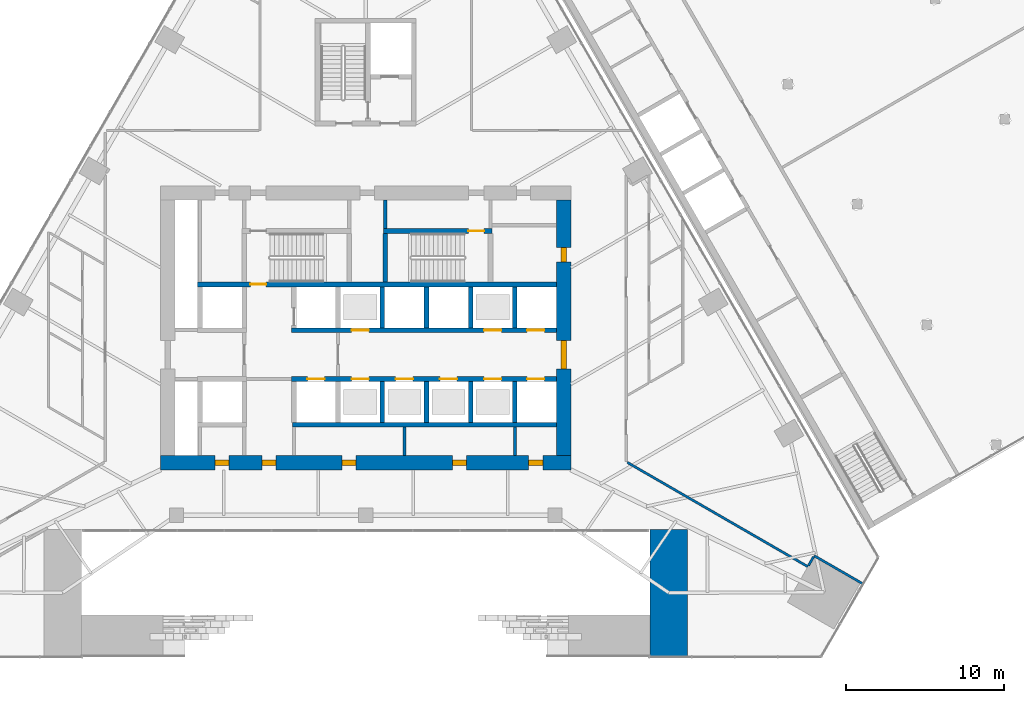
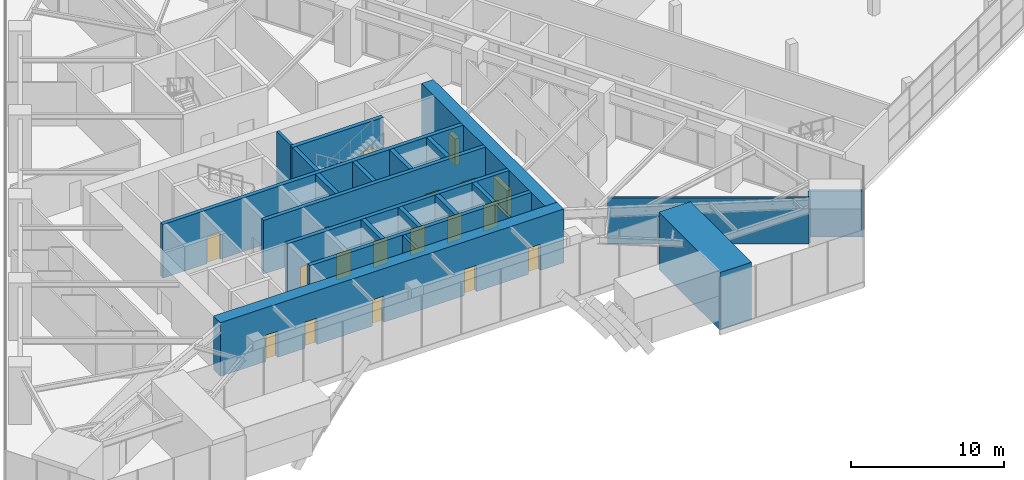
# One storey, part 18 of 29: 23 walls, 18 doors, 18 openings.
"""IFC4 building model written with IfcOpenShell, lengths in metres."""

from ifc_helpers import new_model, si_unit, direction, frame, frame_2d, origin, place, context, subcontext, project, spatial, rectangle, extrude, material, layer, layer_set, type_object, element, fill, save


model = new_model("IFC4")

# Units and contexts
model_context = context("Model", 3, precision=1e-05, world=origin(), true_north=direction((0.0, 1.0)))
body_context = subcontext(model_context, "Body", "Model", "MODEL_VIEW")
ifc_project = project(units=[si_unit("LENGTHUNIT", "METRE"), si_unit("AREAUNIT", "SQUARE_METRE"), si_unit("VOLUMEUNIT", "CUBIC_METRE"), si_unit("PLANEANGLEUNIT", "RADIAN"), si_unit("MASSUNIT", "GRAM", prefix="KILO")], contexts=[model_context])

# Site, building, storey
site_placement = place(None, origin())
site = spatial("IfcSite", under=ifc_project, at=site_placement, CompositionType="ELEMENT")
building_placement = place(site_placement, origin())
building = spatial("IfcBuilding", under=site, at=building_placement, Name="Firuza Gate Tower and Library", CompositionType="ELEMENT")
storey_placement = place(building_placement, frame((0.0, 0.0, 17.199951171875)))
storey = spatial("IfcBuildingStorey", under=building, at=storey_placement, Name="L03", CompositionType="ELEMENT", Elevation=17.199951171875)

# Walls
ifc_material_1 = material(Name="Plasterboard on steel studs", Category="steel")
ifc_layer_1 = layer(ifc_material_1, 0.199951171875)
ifc_layer_set_1 = layer_set([ifc_layer_1], Name="Core partition 200 EI 120")
wall_type_1 = type_object("IfcWallType", Name="Core partition 200 EI 120", PredefinedType="PARTITIONING", material=ifc_layer_set_1)
for number, where, z_axis, x_axis, name in (
    (1, (77.449951171875, 66.89990234375, 0.0), (0.0, 0.0, 1.0), (0.0, 1.0, 0.0), "Core partition L03 14"),
    (2, (84.449951171875, 66.89990234375, 0.0), (0.0, 0.0, 1.0), (0.0, 1.0, 0.0), "Core partition L03 16"),
):
    element("IfcWall", number, at=place(storey_placement, frame(where, z_axis=z_axis, x_axis=x_axis)), inside=storey, type_object=wall_type_1, Name=name, PredefinedType="PARTITIONING", context=body_context, shape_type="SweptSolid", body=[
        extrude(rectangle(XDim=1.800048828125, YDim=0.199951171875, at=frame_2d((0.89990234375, 0.0))), origin(), (0.0, 0.0, 1.0), 4.300048828125),
    ])
ifc_material_2 = material(Name="Plasterboard on steel studs", Category="steel")
ifc_layer_2 = layer(ifc_material_2, 0.199951171875)
ifc_layer_set_2 = layer_set([ifc_layer_2], Name="Core partition 200 EI 60")
wall_type_2 = type_object("IfcWallType", Name="Core partition 200 EI 60", PredefinedType="PARTITIONING", material=ifc_layer_set_2)
wall_1_placement = place(storey_placement, frame((76.239990234375, 81.280029296875, 0.0), z_axis=(0.0, 0.0, 1.0), x_axis=(0.0, 1.0, 0.0)))
element("IfcWall", 3, at=wall_1_placement, inside=storey, type_object=wall_type_2, Name="Core partition L03 13", PredefinedType="PARTITIONING", context=body_context, shape_type="SweptSolid", body=[
    extrude(rectangle(XDim=1.820068359375, YDim=0.199951171875, at=frame_2d((0.91015625, 0.0))), origin(), (0.0, 0.0, 1.0), 4.300048828125),
])
ifc_material_3 = material(Name="Concrete C80/95", Category="concrete")
ifc_layer_3 = layer(ifc_material_3, 0.300048828125)
ifc_layer_set_3 = layer_set([ifc_layer_3], Name="Core wall 300 C80/95")
wall_type_3 = type_object("IfcWallType", Name="Core wall 300 C80/95", PredefinedType="SHEAR", material=ifc_layer_set_3)
wall_2_placement = place(storey_placement, frame((70.35009765625, 68.85009765625, 0.0), z_axis=(0.0, 0.0, 1.0), x_axis=(1.0, 0.0, 0.0)))
element("IfcWall", 4, at=wall_2_placement, inside=storey, type_object=wall_type_3, Name="Core wall L03 6", PredefinedType="SHEAR", context=body_context, shape_type="SweptSolid", body=[
    extrude(rectangle(XDim=16.75, YDim=0.300048828125, at=frame_2d((8.375, 0.0))), origin(), (0.0, 0.0, 1.0), 4.300048828125),
])

# Wall, openings, doors
wall_3_placement = place(storey_placement, frame((70.300048828125, 71.75, 0.0), z_axis=(0.0, 0.0, 1.0), x_axis=(1.0, 0.0, 0.0)))
wall_3 = element("IfcWall", 5, at=wall_3_placement, inside=storey, type_object=wall_type_3, Name="Core wall L03 8", PredefinedType="SHEAR", context=body_context, shape_type="SweptSolid", body=[
    extrude(rectangle(XDim=16.800048828125, YDim=0.300048828125, at=frame_2d((8.39990234375, 0.0))), origin(), (0.0, 0.0, 1.0), 4.300048828125),
])
opening_1_placement = place(wall_3_placement, frame((1.0, 0.0, 0.0)))
opening_1 = element("IfcOpeningElement", 6, at=opening_1_placement, cuts=wall_3, Name="Opening LD-FF1-L03", PredefinedType="OPENING", context=body_context, shape_type="SweptSolid", body=[
    extrude(rectangle(XDim=1.10009765625, YDim=2.10009765625, at=frame_2d((0.550048828125, 1.050048828125))), frame((0.0, 0.16015625, 0.0), z_axis=(0.0, -1.0, 0.0), x_axis=(1.0, 0.0, 0.0)), (0.0, 0.0, 1.0), 0.320068359375),
])
opening_2_placement = place(wall_3_placement, frame((3.800048828125, 0.0, 0.0)))
opening_2 = element("IfcOpeningElement", 7, at=opening_2_placement, cuts=wall_3, Name="Opening LD-LR1-L03", PredefinedType="OPENING", context=body_context, shape_type="SweptSolid", body=[
    extrude(rectangle(XDim=1.10009765625, YDim=2.10009765625, at=frame_2d((0.550048828125, 1.050048828125))), frame((0.0, 0.16015625, 0.0), z_axis=(0.0, -1.0, 0.0), x_axis=(1.0, 0.0, 0.0)), (0.0, 0.0, 1.0), 0.320068359375),
])
opening_3_placement = place(wall_3_placement, frame((6.60009765625, 0.0, 0.0)))
opening_3 = element("IfcOpeningElement", 8, at=opening_3_placement, cuts=wall_3, Name="Opening LD-LR2-L03", PredefinedType="OPENING", context=body_context, shape_type="SweptSolid", body=[
    extrude(rectangle(XDim=1.10009765625, YDim=2.10009765625, at=frame_2d((0.550048828125, 1.050048828125))), frame((0.0, 0.16015625, 0.0), z_axis=(0.0, -1.0, 0.0), x_axis=(1.0, 0.0, 0.0)), (0.0, 0.0, 1.0), 0.320068359375),
])
opening_4_placement = place(wall_3_placement, frame((9.39990234375, 0.0, 0.0)))
opening_4 = element("IfcOpeningElement", 9, at=opening_4_placement, cuts=wall_3, Name="Opening LD-LR3-L03", PredefinedType="OPENING", context=body_context, shape_type="SweptSolid", body=[
    extrude(rectangle(XDim=1.10009765625, YDim=2.10009765625, at=frame_2d((0.550048828125, 1.050048828125))), frame((0.0, 0.16015625, 0.0), z_axis=(0.0, -1.0, 0.0), x_axis=(1.0, 0.0, 0.0)), (0.0, 0.0, 1.0), 0.320068359375),
])
opening_5_placement = place(wall_3_placement, frame((12.199951171875, 0.0, 0.0)))
opening_5 = element("IfcOpeningElement", 10, at=opening_5_placement, cuts=wall_3, Name="Opening LD-LR5-L03", PredefinedType="OPENING", context=body_context, shape_type="SweptSolid", body=[
    extrude(rectangle(XDim=1.10009765625, YDim=2.10009765625, at=frame_2d((0.550048828125, 1.050048828125))), frame((0.0, 0.16015625, 0.0), z_axis=(0.0, -1.0, 0.0), x_axis=(1.0, 0.0, 0.0)), (0.0, 0.0, 1.0), 0.320068359375),
])
opening_6_placement = place(wall_3_placement, frame((14.925048828125, 0.0, 0.0)))
opening_6 = element("IfcOpeningElement", 11, at=opening_6_placement, cuts=wall_3, Name="Opening LD-LR7-L03", PredefinedType="OPENING", context=body_context, shape_type="SweptSolid", body=[
    extrude(rectangle(XDim=1.10009765625, YDim=2.10009765625, at=frame_2d((0.550048828125, 1.050048828125))), frame((0.0, 0.16015625, 0.0), z_axis=(0.0, -1.0, 0.0), x_axis=(1.0, 0.0, 0.0)), (0.0, 0.0, 1.0), 0.320068359375),
])
ifc_material_4 = material(Name="Stainless steel", Category="steel")
door_type_1 = type_object("IfcDoorType", Name="Lift landing door 1100x2100", OperationType="DOUBLE_DOOR_SLIDING", PredefinedType="DOOR", material=ifc_material_4)
door_1_placement = place(opening_1_placement, origin())
door_1 = element("IfcDoor", 12, at=door_1_placement, inside=storey, type_object=door_type_1, Name="Landing door FF1 L03", OperationType="DOUBLE_DOOR_SLIDING", OverallHeight=2.10009765625, OverallWidth=1.10009765625, PredefinedType="DOOR", context=body_context, shape_type="SweptSolid", body=[
    extrude(rectangle(XDim=1.10009765625, YDim=2.10009765625, at=frame_2d((0.550048828125, 1.050048828125))), frame((0.0, 0.02490234375, 0.0), z_axis=(0.0, -1.0, 0.0), x_axis=(1.0, 0.0, 0.0)), (0.0, 0.0, 1.0), 0.050048828125),
])
fill(opening_1, door_1)
door_2_placement = place(opening_2_placement, origin())
door_2 = element("IfcDoor", 13, at=door_2_placement, inside=storey, type_object=door_type_1, Name="Landing door LR1 L03", OperationType="DOUBLE_DOOR_SLIDING", OverallHeight=2.10009765625, OverallWidth=1.10009765625, PredefinedType="DOOR", context=body_context, shape_type="SweptSolid", body=[
    extrude(rectangle(XDim=1.10009765625, YDim=2.10009765625, at=frame_2d((0.550048828125, 1.050048828125))), frame((0.0, 0.02490234375, 0.0), z_axis=(0.0, -1.0, 0.0), x_axis=(1.0, 0.0, 0.0)), (0.0, 0.0, 1.0), 0.050048828125),
])
fill(opening_2, door_2)
door_3_placement = place(opening_3_placement, origin())
door_3 = element("IfcDoor", 14, at=door_3_placement, inside=storey, type_object=door_type_1, Name="Landing door LR2 L03", OperationType="DOUBLE_DOOR_SLIDING", OverallHeight=2.10009765625, OverallWidth=1.10009765625, PredefinedType="DOOR", context=body_context, shape_type="SweptSolid", body=[
    extrude(rectangle(XDim=1.10009765625, YDim=2.10009765625, at=frame_2d((0.550048828125, 1.050048828125))), frame((0.0, 0.02490234375, 0.0), z_axis=(0.0, -1.0, 0.0), x_axis=(1.0, 0.0, 0.0)), (0.0, 0.0, 1.0), 0.050048828125),
])
fill(opening_3, door_3)
door_4_placement = place(opening_4_placement, origin())
door_4 = element("IfcDoor", 15, at=door_4_placement, inside=storey, type_object=door_type_1, Name="Landing door LR3 L03", OperationType="DOUBLE_DOOR_SLIDING", OverallHeight=2.10009765625, OverallWidth=1.10009765625, PredefinedType="DOOR", context=body_context, shape_type="SweptSolid", body=[
    extrude(rectangle(XDim=1.10009765625, YDim=2.10009765625, at=frame_2d((0.550048828125, 1.050048828125))), frame((0.0, 0.02490234375, 0.0), z_axis=(0.0, -1.0, 0.0), x_axis=(1.0, 0.0, 0.0)), (0.0, 0.0, 1.0), 0.050048828125),
])
fill(opening_4, door_4)
door_5_placement = place(opening_5_placement, origin())
door_5 = element("IfcDoor", 16, at=door_5_placement, inside=storey, type_object=door_type_1, Name="Landing door LR5 L03", OperationType="DOUBLE_DOOR_SLIDING", OverallHeight=2.10009765625, OverallWidth=1.10009765625, PredefinedType="DOOR", context=body_context, shape_type="SweptSolid", body=[
    extrude(rectangle(XDim=1.10009765625, YDim=2.10009765625, at=frame_2d((0.550048828125, 1.050048828125))), frame((0.0, 0.02490234375, 0.0), z_axis=(0.0, -1.0, 0.0), x_axis=(1.0, 0.0, 0.0)), (0.0, 0.0, 1.0), 0.050048828125),
])
fill(opening_5, door_5)
door_6_placement = place(opening_6_placement, origin())
door_6 = element("IfcDoor", 17, at=door_6_placement, inside=storey, type_object=door_type_1, Name="Landing door LR7 L03", OperationType="DOUBLE_DOOR_SLIDING", OverallHeight=2.10009765625, OverallWidth=1.10009765625, PredefinedType="DOOR", context=body_context, shape_type="SweptSolid", body=[
    extrude(rectangle(XDim=1.10009765625, YDim=2.10009765625, at=frame_2d((0.550048828125, 1.050048828125))), frame((0.0, 0.02490234375, 0.0), z_axis=(0.0, -1.0, 0.0), x_axis=(1.0, 0.0, 0.0)), (0.0, 0.0, 1.0), 0.050048828125),
])
fill(opening_6, door_6)

wall_4_placement = place(storey_placement, frame((70.300048828125, 74.85009765625, 0.0), z_axis=(0.0, 0.0, 1.0), x_axis=(1.0, 0.0, 0.0)))
wall_4 = element("IfcWall", 18, at=wall_4_placement, inside=storey, type_object=wall_type_3, Name="Core wall L03 10", PredefinedType="SHEAR", context=body_context, shape_type="SweptSolid", body=[
    extrude(rectangle(XDim=16.800048828125, YDim=0.300048828125, at=frame_2d((8.39990234375, 0.0))), origin(), (0.0, 0.0, 1.0), 4.300048828125),
])
opening_7_placement = place(wall_4_placement, frame((3.800048828125, 0.0, 0.0)))
opening_7 = element("IfcOpeningElement", 19, at=opening_7_placement, cuts=wall_4, Name="Opening LD-LR4-L03", PredefinedType="OPENING", context=body_context, shape_type="SweptSolid", body=[
    extrude(rectangle(XDim=1.10009765625, YDim=2.10009765625, at=frame_2d((0.550048828125, 1.050048828125))), frame((0.0, 0.16015625, 0.0), z_axis=(0.0, -1.0, 0.0), x_axis=(1.0, 0.0, 0.0)), (0.0, 0.0, 1.0), 0.320068359375),
])
opening_8_placement = place(wall_4_placement, frame((12.199951171875, 0.0, 0.0)))
opening_8 = element("IfcOpeningElement", 20, at=opening_8_placement, cuts=wall_4, Name="Opening LD-LR6-L03", PredefinedType="OPENING", context=body_context, shape_type="SweptSolid", body=[
    extrude(rectangle(XDim=1.10009765625, YDim=2.10009765625, at=frame_2d((0.550048828125, 1.050048828125))), frame((0.0, 0.16015625, 0.0), z_axis=(0.0, -1.0, 0.0), x_axis=(1.0, 0.0, 0.0)), (0.0, 0.0, 1.0), 0.320068359375),
])
opening_9_placement = place(wall_4_placement, frame((14.925048828125, 0.0, 0.0)))
opening_9 = element("IfcOpeningElement", 21, at=opening_9_placement, cuts=wall_4, Name="Opening LD-LR8-L03", PredefinedType="OPENING", context=body_context, shape_type="SweptSolid", body=[
    extrude(rectangle(XDim=1.10009765625, YDim=2.10009765625, at=frame_2d((0.550048828125, 1.050048828125))), frame((0.0, 0.16015625, 0.0), z_axis=(0.0, -1.0, 0.0), x_axis=(1.0, 0.0, 0.0)), (0.0, 0.0, 1.0), 0.320068359375),
])
door_7_placement = place(opening_7_placement, origin())
door_7 = element("IfcDoor", 22, at=door_7_placement, inside=storey, type_object=door_type_1, Name="Landing door LR4 L03", OperationType="DOUBLE_DOOR_SLIDING", OverallHeight=2.10009765625, OverallWidth=1.10009765625, PredefinedType="DOOR", context=body_context, shape_type="SweptSolid", body=[
    extrude(rectangle(XDim=1.10009765625, YDim=2.10009765625, at=frame_2d((0.550048828125, 1.050048828125))), frame((0.0, 0.02490234375, 0.0), z_axis=(0.0, -1.0, 0.0), x_axis=(1.0, 0.0, 0.0)), (0.0, 0.0, 1.0), 0.050048828125),
])
fill(opening_7, door_7)
door_8_placement = place(opening_8_placement, origin())
door_8 = element("IfcDoor", 23, at=door_8_placement, inside=storey, type_object=door_type_1, Name="Landing door LR6 L03", OperationType="DOUBLE_DOOR_SLIDING", OverallHeight=2.10009765625, OverallWidth=1.10009765625, PredefinedType="DOOR", context=body_context, shape_type="SweptSolid", body=[
    extrude(rectangle(XDim=1.10009765625, YDim=2.10009765625, at=frame_2d((0.550048828125, 1.050048828125))), frame((0.0, 0.02490234375, 0.0), z_axis=(0.0, -1.0, 0.0), x_axis=(1.0, 0.0, 0.0)), (0.0, 0.0, 1.0), 0.050048828125),
])
fill(opening_8, door_8)
door_9_placement = place(opening_9_placement, origin())
door_9 = element("IfcDoor", 24, at=door_9_placement, inside=storey, type_object=door_type_1, Name="Landing door LR8 L03", OperationType="DOUBLE_DOOR_SLIDING", OverallHeight=2.10009765625, OverallWidth=1.10009765625, PredefinedType="DOOR", context=body_context, shape_type="SweptSolid", body=[
    extrude(rectangle(XDim=1.10009765625, YDim=2.10009765625, at=frame_2d((0.550048828125, 1.050048828125))), frame((0.0, 0.02490234375, 0.0), z_axis=(0.0, -1.0, 0.0), x_axis=(1.0, 0.0, 0.0)), (0.0, 0.0, 1.0), 0.050048828125),
])
fill(opening_9, door_9)

# Walls
for number, where, z_axis, x_axis, name in (
    (25, (76.050048828125, 69.0, 0.0), (0.0, 0.0, 1.0), (0.0, 1.0, 0.0), "Core wall L03 19"),
    (26, (76.050048828125, 75.0, 0.0), (0.0, 0.0, 1.0), (0.0, 1.0, 0.0), "Core wall L03 20"),
    (27, (78.85009765625, 69.0, 0.0), (0.0, 0.0, 1.0), (0.0, 1.0, 0.0), "Core wall L03 21"),
    (28, (78.85009765625, 75.0, 0.0), (0.0, 0.0, 1.0), (0.0, 1.0, 0.0), "Core wall L03 22"),
    (29, (81.64990234375, 69.0, 0.0), (0.0, 0.0, 1.0), (0.0, 1.0, 0.0), "Core wall L03 23"),
    (30, (81.64990234375, 75.0, 0.0), (0.0, 0.0, 1.0), (0.0, 1.0, 0.0), "Core wall L03 24"),
    (31, (84.449951171875, 69.0, 0.0), (0.0, 0.0, 1.0), (0.0, 1.0, 0.0), "Core wall L03 25"),
    (32, (84.449951171875, 75.0, 0.0), (0.0, 0.0, 1.0), (0.0, 1.0, 0.0), "Core wall L03 26"),
):
    element("IfcWall", number, at=place(storey_placement, frame(where, z_axis=z_axis, x_axis=x_axis)), inside=storey, type_object=wall_type_3, Name=name, PredefinedType="SHEAR", context=body_context, shape_type="SweptSolid", body=[
        extrude(rectangle(XDim=2.60009765625, YDim=0.300048828125, at=frame_2d((1.300048828125, 0.0))), origin(), (0.0, 0.0, 1.0), 4.300048828125),
    ])

# Wall, opening, door
wall_5_placement = place(storey_placement, frame((64.35009765625, 77.75, 0.0), z_axis=(0.0, 0.0, 1.0), x_axis=(1.0, 0.0, 0.0)))
wall_5 = element("IfcWall", 33, at=wall_5_placement, inside=storey, type_object=wall_type_3, Name="Core wall L03 27", PredefinedType="SHEAR", context=body_context, shape_type="SweptSolid", body=[
    extrude(rectangle(XDim=22.75, YDim=0.300048828125, at=frame_2d((11.375, 0.0))), origin(), (0.0, 0.0, 1.0), 4.300048828125),
])
opening_10_placement = place(wall_5_placement, frame((3.344970703125, 0.0, 0.0)))
opening_10 = element("IfcOpeningElement", 34, at=opening_10_placement, cuts=wall_5, Name="Opening L03-K12", PredefinedType="OPENING", context=body_context, shape_type="SweptSolid", body=[
    extrude(rectangle(XDim=1.0, YDim=2.10009765625, at=frame_2d((0.5, 1.050048828125))), frame((0.0, 0.16015625, 0.0), z_axis=(0.0, -1.0, 0.0), x_axis=(1.0, 0.0, 0.0)), (0.0, 0.0, 1.0), 0.320068359375),
])
ifc_material_5 = material(Name="Steel", Category="steel")
door_type_2 = type_object("IfcDoorType", Name="Fire door 1000x2100 FD90", OperationType="NOTDEFINED", PredefinedType="DOOR", material=ifc_material_5)
door_10_placement = place(opening_10_placement, origin())
door_10 = element("IfcDoor", 35, at=door_10_placement, inside=storey, type_object=door_type_2, Name="Door L03-K12", OperationType="SINGLE_SWING_LEFT", OverallHeight=2.10009765625, OverallWidth=1.0, PredefinedType="DOOR", context=body_context, shape_type="SweptSolid", body=[
    extrude(rectangle(XDim=1.0, YDim=2.10009765625, at=frame_2d((0.5, 1.050048828125))), frame((0.0, 0.02490234375, 0.0), z_axis=(0.0, -1.0, 0.0), x_axis=(1.0, 0.0, 0.0)), (0.0, 0.0, 1.0), 0.050048828125),
])
fill(opening_10, door_10)

wall_6_placement = place(storey_placement, frame((76.139892578125, 81.1298828125, 0.0), z_axis=(0.0, 0.0, 1.0), x_axis=(1.0, 0.0, 0.0)))
wall_6 = element("IfcWall", 36, at=wall_6_placement, inside=storey, type_object=wall_type_3, Name="Core wall L03 29", PredefinedType="SHEAR", context=body_context, shape_type="SweptSolid", body=[
    extrude(rectangle(XDim=6.860107421875, YDim=0.300048828125, at=frame_2d((3.43017578125, 0.0))), origin(), (0.0, 0.0, 1.0), 4.300048828125),
])
opening_11_placement = place(wall_6_placement, frame((5.364990234375, 0.0, 0.0)))
opening_11 = element("IfcOpeningElement", 37, at=opening_11_placement, cuts=wall_6, Name="Opening L03-K15", PredefinedType="OPENING", context=body_context, shape_type="SweptSolid", body=[
    extrude(rectangle(XDim=1.0, YDim=2.10009765625, at=frame_2d((0.5, 1.050048828125))), frame((0.0, 0.16015625, 0.0), z_axis=(0.0, -1.0, 0.0), x_axis=(1.0, 0.0, 0.0)), (0.0, 0.0, 1.0), 0.320068359375),
])
door_11_placement = place(opening_11_placement, origin())
door_11 = element("IfcDoor", 38, at=door_11_placement, inside=storey, type_object=door_type_2, Name="Door L03-K15", OperationType="SINGLE_SWING_RIGHT", OverallHeight=2.10009765625, OverallWidth=1.0, PredefinedType="DOOR", context=body_context, shape_type="SweptSolid", body=[
    extrude(rectangle(XDim=1.0, YDim=2.10009765625, at=frame_2d((0.5, 1.050048828125))), frame((0.0, 0.02490234375, 0.0), z_axis=(0.0, -1.0, 0.0), x_axis=(1.0, 0.0, 0.0)), (0.0, 0.0, 1.0), 0.050048828125),
])
fill(opening_11, door_11)

# Wall
wall_7_placement = place(storey_placement, frame((76.239990234375, 77.89990234375, 0.0), z_axis=(0.0, 0.0, 1.0), x_axis=(0.0, 1.0, 0.0)))
element("IfcWall", 39, at=wall_7_placement, inside=storey, type_object=wall_type_3, Name="Core wall L03 32", PredefinedType="SHEAR", context=body_context, shape_type="SweptSolid", body=[
    extrude(rectangle(XDim=3.080078125, YDim=0.300048828125, at=frame_2d((1.5400390625, 0.0))), origin(), (0.0, 0.0, 1.0), 4.300048828125),
])

# Wall, openings, doors
ifc_material_6 = material(Name="Concrete C80/95", Category="concrete")
ifc_layer_4 = layer(ifc_material_6, 0.89990234375)
ifc_layer_set_4 = layer_set([ifc_layer_4], Name="Core wall 900 C80/95")
wall_type_4 = type_object("IfcWallType", Name="Core wall 900 C80/95", PredefinedType="SHEAR", material=ifc_layer_set_4)
wall_8_placement = place(storey_placement, frame((62.0, 66.449951171875, 0.0), z_axis=(0.0, 0.0, 1.0), x_axis=(1.0, 0.0, 0.0)))
wall_8 = element("IfcWall", 40, at=wall_8_placement, inside=storey, type_object=wall_type_4, Name="Core wall L03 1", PredefinedType="SHEAR", context=body_context, shape_type="SweptSolid", body=[
    extrude(rectangle(XDim=26.0, YDim=0.89990234375, at=frame_2d((13.0, 0.0))), origin(), (0.0, 0.0, 1.0), 4.300048828125),
])
opening_12_placement = place(wall_8_placement, frame((3.449951171875, 0.0, 0.0)))
opening_12 = element("IfcOpeningElement", 41, at=opening_12_placement, cuts=wall_8, Name="Opening L03-K24", PredefinedType="OPENING", context=body_context, shape_type="SweptSolid", body=[
    extrude(rectangle(XDim=0.89990234375, YDim=2.10009765625, at=frame_2d((0.449951171875, 1.050048828125))), frame((0.0, 0.4599609375, 0.0), z_axis=(0.0, -1.0, 0.0), x_axis=(1.0, 0.0, 0.0)), (0.0, 0.0, 1.0), 0.919921875),
])
opening_13_placement = place(wall_8_placement, frame((6.425048828125, 0.0, 0.0)))
opening_13 = element("IfcOpeningElement", 42, at=opening_13_placement, cuts=wall_8, Name="Opening L03-K25", PredefinedType="OPENING", context=body_context, shape_type="SweptSolid", body=[
    extrude(rectangle(XDim=0.89990234375, YDim=2.10009765625, at=frame_2d((0.449951171875, 1.050048828125))), frame((0.0, 0.4599609375, 0.0), z_axis=(0.0, -1.0, 0.0), x_axis=(1.0, 0.0, 0.0)), (0.0, 0.0, 1.0), 0.919921875),
])
opening_14_placement = place(wall_8_placement, frame((11.5, 0.0, 0.0)))
opening_14 = element("IfcOpeningElement", 43, at=opening_14_placement, cuts=wall_8, Name="Opening L03-K26", PredefinedType="OPENING", context=body_context, shape_type="SweptSolid", body=[
    extrude(rectangle(XDim=0.89990234375, YDim=2.10009765625, at=frame_2d((0.449951171875, 1.050048828125))), frame((0.0, 0.4599609375, 0.0), z_axis=(0.0, -1.0, 0.0), x_axis=(1.0, 0.0, 0.0)), (0.0, 0.0, 1.0), 0.919921875),
])
opening_15_placement = place(wall_8_placement, frame((18.5, 0.0, 0.0)))
opening_15 = element("IfcOpeningElement", 44, at=opening_15_placement, cuts=wall_8, Name="Opening L03-K27", PredefinedType="OPENING", context=body_context, shape_type="SweptSolid", body=[
    extrude(rectangle(XDim=0.89990234375, YDim=2.10009765625, at=frame_2d((0.449951171875, 1.050048828125))), frame((0.0, 0.4599609375, 0.0), z_axis=(0.0, -1.0, 0.0), x_axis=(1.0, 0.0, 0.0)), (0.0, 0.0, 1.0), 0.919921875),
])
opening_16_placement = place(wall_8_placement, frame((23.324951171875, 0.0, 0.0)))
opening_16 = element("IfcOpeningElement", 45, at=opening_16_placement, cuts=wall_8, Name="Opening L03-K28", PredefinedType="OPENING", context=body_context, shape_type="SweptSolid", body=[
    extrude(rectangle(XDim=0.89990234375, YDim=2.10009765625, at=frame_2d((0.449951171875, 1.050048828125))), frame((0.0, 0.4599609375, 0.0), z_axis=(0.0, -1.0, 0.0), x_axis=(1.0, 0.0, 0.0)), (0.0, 0.0, 1.0), 0.919921875),
])
ifc_material_7 = material(Name="Steel", Category="steel")
door_type_3 = type_object("IfcDoorType", Name="Fire door 900x2100 FD30S", OperationType="NOTDEFINED", PredefinedType="DOOR", material=ifc_material_7)
door_12_placement = place(opening_12_placement, origin())
door_12 = element("IfcDoor", 46, at=door_12_placement, inside=storey, type_object=door_type_3, Name="Door L03-K24", OperationType="SINGLE_SWING_LEFT", OverallHeight=2.10009765625, OverallWidth=0.89990234375, PredefinedType="DOOR", context=body_context, shape_type="SweptSolid", body=[
    extrude(rectangle(XDim=0.89990234375, YDim=2.10009765625, at=frame_2d((0.449951171875, 1.050048828125))), frame((0.0, 0.169921875, 0.0), z_axis=(0.0, -1.0, 0.0), x_axis=(1.0, 0.0, 0.0)), (0.0, 0.0, 1.0), 0.33984375),
])
fill(opening_12, door_12)
door_13_placement = place(opening_13_placement, origin())
door_13 = element("IfcDoor", 47, at=door_13_placement, inside=storey, type_object=door_type_3, Name="Door L03-K25", OperationType="SINGLE_SWING_RIGHT", OverallHeight=2.10009765625, OverallWidth=0.89990234375, PredefinedType="DOOR", context=body_context, shape_type="SweptSolid", body=[
    extrude(rectangle(XDim=0.89990234375, YDim=2.10009765625, at=frame_2d((0.449951171875, 1.050048828125))), frame((0.0, 0.169921875, 0.0), z_axis=(0.0, -1.0, 0.0), x_axis=(1.0, 0.0, 0.0)), (0.0, 0.0, 1.0), 0.33984375),
])
fill(opening_13, door_13)
door_14_placement = place(opening_14_placement, origin())
door_14 = element("IfcDoor", 48, at=door_14_placement, inside=storey, type_object=door_type_3, Name="Door L03-K26", OperationType="SINGLE_SWING_LEFT", OverallHeight=2.10009765625, OverallWidth=0.89990234375, PredefinedType="DOOR", context=body_context, shape_type="SweptSolid", body=[
    extrude(rectangle(XDim=0.89990234375, YDim=2.10009765625, at=frame_2d((0.449951171875, 1.050048828125))), frame((0.0, 0.169921875, 0.0), z_axis=(0.0, -1.0, 0.0), x_axis=(1.0, 0.0, 0.0)), (0.0, 0.0, 1.0), 0.33984375),
])
fill(opening_14, door_14)
door_15_placement = place(opening_15_placement, origin())
door_15 = element("IfcDoor", 49, at=door_15_placement, inside=storey, type_object=door_type_3, Name="Door L03-K27", OperationType="SINGLE_SWING_RIGHT", OverallHeight=2.10009765625, OverallWidth=0.89990234375, PredefinedType="DOOR", context=body_context, shape_type="SweptSolid", body=[
    extrude(rectangle(XDim=0.89990234375, YDim=2.10009765625, at=frame_2d((0.449951171875, 1.050048828125))), frame((0.0, 0.169921875, 0.0), z_axis=(0.0, -1.0, 0.0), x_axis=(1.0, 0.0, 0.0)), (0.0, 0.0, 1.0), 0.33984375),
])
fill(opening_15, door_15)
door_16_placement = place(opening_16_placement, origin())
door_16 = element("IfcDoor", 50, at=door_16_placement, inside=storey, type_object=door_type_3, Name="Door L03-K28", OperationType="SINGLE_SWING_LEFT", OverallHeight=2.10009765625, OverallWidth=0.89990234375, PredefinedType="DOOR", context=body_context, shape_type="SweptSolid", body=[
    extrude(rectangle(XDim=0.89990234375, YDim=2.10009765625, at=frame_2d((0.449951171875, 1.050048828125))), frame((0.0, 0.169921875, 0.0), z_axis=(0.0, -1.0, 0.0), x_axis=(1.0, 0.0, 0.0)), (0.0, 0.0, 1.0), 0.33984375),
])
fill(opening_16, door_16)

wall_9_placement = place(storey_placement, frame((87.550048828125, 66.89990234375, 0.0), z_axis=(0.0, 0.0, 1.0), x_axis=(0.0, 1.0, 0.0)))
wall_9 = element("IfcWall", 51, at=wall_9_placement, inside=storey, type_object=wall_type_4, Name="Core wall L03 4", PredefinedType="SHEAR", context=body_context, shape_type="SweptSolid", body=[
    extrude(rectangle(XDim=16.2001953125, YDim=0.89990234375, at=frame_2d((8.10009765625, 0.0))), origin(), (0.0, 0.0, 1.0), 4.300048828125),
])
opening_17_placement = place(wall_9_placement, frame((5.5, 0.0, 0.0)))
opening_17 = element("IfcOpeningElement", 52, at=opening_17_placement, cuts=wall_9, Name="Opening L03-K23", PredefinedType="OPENING", context=body_context, shape_type="SweptSolid", body=[
    extrude(rectangle(XDim=1.800048828125, YDim=2.10009765625, at=frame_2d((0.89990234375, 1.050048828125))), frame((0.0, 0.4599609375, 0.0), z_axis=(0.0, -1.0, 0.0), x_axis=(1.0, 0.0, 0.0)), (0.0, 0.0, 1.0), 0.919921875),
])
opening_18_placement = place(wall_9_placement, frame((12.2724609375, 0.0, 0.0)))
opening_18 = element("IfcOpeningElement", 53, at=opening_18_placement, cuts=wall_9, Name="Opening L03-K31", PredefinedType="OPENING", context=body_context, shape_type="SweptSolid", body=[
    extrude(rectangle(XDim=0.89990234375, YDim=2.10009765625, at=frame_2d((0.449951171875, 1.050048828125))), frame((0.0, 0.4599609375, 0.0), z_axis=(0.0, -1.0, 0.0), x_axis=(1.0, 0.0, 0.0)), (0.0, 0.0, 1.0), 0.919921875),
])
ifc_material_8 = material(Name="Steel", Category="steel")
door_type_4 = type_object("IfcDoorType", Name="Fire door 1800x2100 FD30S", OperationType="NOTDEFINED", PredefinedType="DOOR", material=ifc_material_8)
door_17_placement = place(opening_17_placement, origin())
door_17 = element("IfcDoor", 54, at=door_17_placement, inside=storey, type_object=door_type_4, Name="Door L03-K23", OperationType="SINGLE_SWING_RIGHT", OverallHeight=2.10009765625, OverallWidth=1.800048828125, PredefinedType="DOOR", context=body_context, shape_type="SweptSolid", body=[
    extrude(rectangle(XDim=1.800048828125, YDim=2.10009765625, at=frame_2d((0.89990234375, 1.050048828125))), frame((0.0, 0.169921875, 0.0), z_axis=(0.0, -1.0, 0.0), x_axis=(1.0, 0.0, 0.0)), (0.0, 0.0, 1.0), 0.33984375),
])
fill(opening_17, door_17)
door_18_placement = place(opening_18_placement, origin())
door_18 = element("IfcDoor", 55, at=door_18_placement, inside=storey, type_object=door_type_3, Name="Door L03-K31", OperationType="SINGLE_SWING_RIGHT", OverallHeight=2.10009765625, OverallWidth=0.89990234375, PredefinedType="DOOR", context=body_context, shape_type="SweptSolid", body=[
    extrude(rectangle(XDim=0.89990234375, YDim=2.10009765625, at=frame_2d((0.449951171875, 1.050048828125))), frame((0.0, 0.169921875, 0.0), z_axis=(0.0, -1.0, 0.0), x_axis=(1.0, 0.0, 0.0)), (0.0, 0.0, 1.0), 0.33984375),
])
fill(opening_18, door_18)

# Walls
ifc_material_9 = material(Name="Gypsum board partition")
ifc_layer_5 = layer(ifc_material_9, 0.14990234375)
ifc_layer_set_5 = layer_set([ifc_layer_5], Name="Corridor wall 150 double board on steel studs")
wall_type_5 = type_object("IfcWallType", Name="Corridor wall 150 double board on steel studs", PredefinedType="PARTITIONING", material=ifc_layer_set_5)
wall_10_placement = place(storey_placement, frame((103.0615234375, 59.93603515625, 0.0), z_axis=(0.0, 0.0, 1.0), x_axis=(0.500163094741, 0.865931220513, 0.0)))
element("IfcWall", 56, at=wall_10_placement, inside=storey, type_object=wall_type_5, Name="f:L03:w012", PredefinedType="PARTITIONING", context=body_context, shape_type="SweptSolid", body=[
    extrude(rectangle(XDim=0.639404296875, YDim=0.14990234375, at=frame_2d((0.31982421875, 0.0))), origin(), (0.0, 0.0, 1.0), 3.699951171875),
])
wall_11_placement = place(storey_placement, frame((106.501953125, 58.775390625, 0.0), z_axis=(0.0, 0.0, 1.0), x_axis=(-0.866014251095, 0.500019316528, 0.0)))
element("IfcWall", 57, at=wall_11_placement, inside=storey, type_object=wall_type_5, Name="f:L03:w029", PredefinedType="PARTITIONING", context=body_context, shape_type="SweptSolid", body=[
    extrude(rectangle(XDim=3.559326171875, YDim=0.14990234375, at=frame_2d((1.77978515625, 0.0))), origin(), (0.0, 0.0, 1.0), 3.699951171875),
])
wall_12_placement = place(storey_placement, frame((103.01904296875, 59.862548828125, 0.0), z_axis=(0.0, 0.0, 1.0), x_axis=(-0.866027754727, 0.499995928025, 0.0)))
element("IfcWall", 58, at=wall_12_placement, inside=storey, type_object=wall_type_5, Name="f:L03:w030", PredefinedType="PARTITIONING", context=body_context, shape_type="SweptSolid", body=[
    extrude(rectangle(XDim=13.21435546875, YDim=0.14990234375, at=frame_2d((6.607177734375, 0.0))), origin(), (0.0, 0.0, 1.0), 3.699951171875),
])
ifc_material_10 = material(Name="Concrete C80/95", Category="concrete")
ifc_layer_6 = layer(ifc_material_10, 2.39990234375)
ifc_layer_set_6 = layer_set([ifc_layer_6], Name="Iwan wall 2400 C80/95")
wall_type_6 = type_object("IfcWallType", Name="Iwan wall 2400 C80/95", PredefinedType="SHEAR", material=ifc_layer_set_6)
wall_13_placement = place(storey_placement, frame((94.199951171875, 54.21533203125, 0.0), z_axis=(0.0, 0.0, 1.0), x_axis=(0.0, 1.0, 0.0)))
element("IfcWall", 59, at=wall_13_placement, inside=storey, type_object=wall_type_6, Name="Iwan wall E L03", PredefinedType="SHEAR", context=body_context, shape_type="SweptSolid", body=[
    extrude(rectangle(XDim=8.0, YDim=2.39990234375, at=frame_2d((4.0, 0.0))), origin(), (0.0, 0.0, 1.0), 4.60009765625),
])

save(model, "model.ifc")
